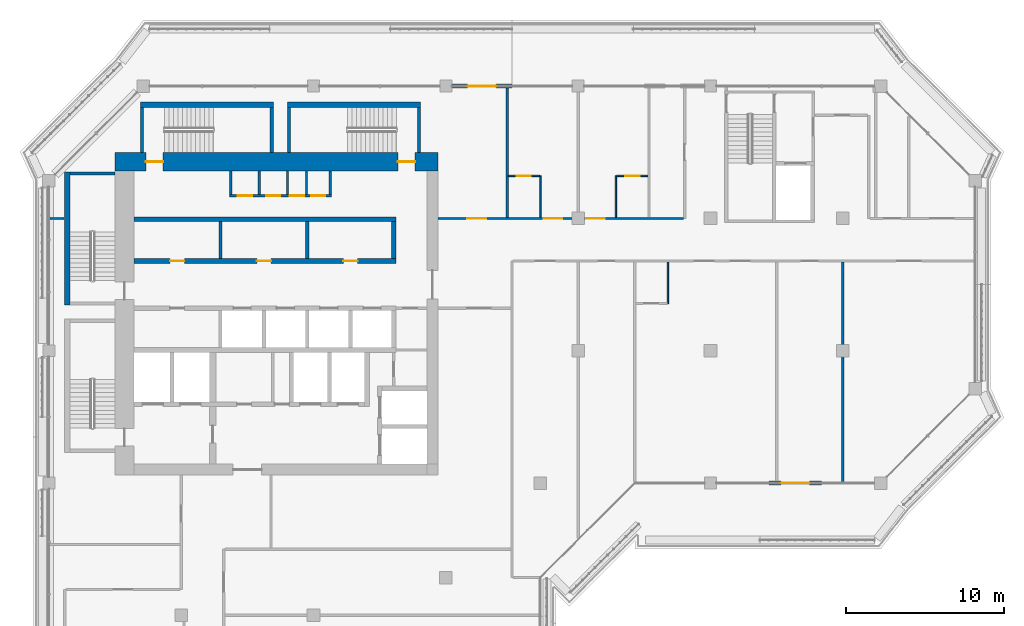
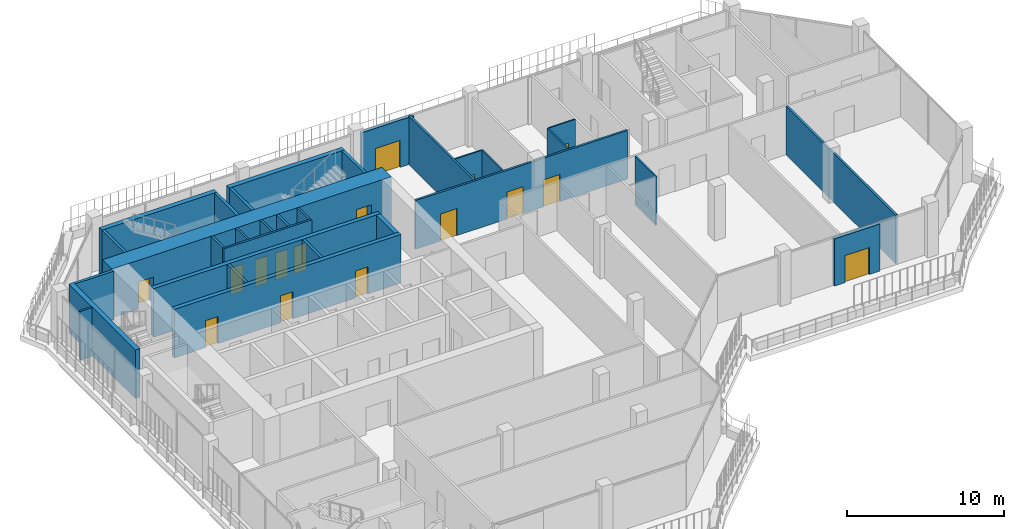
# One storey, part 11 of 20: 31 walls, 16 doors, 16 openings.
"""IFC4 building model written with IfcOpenShell, lengths in metres."""

from ifc_helpers import new_model, si_unit, direction, frame, frame_2d, origin, place, context, subcontext, project, spatial, rectangle, extrude, material, layer, layer_set, type_object, element, fill, save


model = new_model("IFC4")

# Units and contexts
model_context = context("Model", 3, precision=1e-05, world=origin(), true_north=direction((0.0, 1.0)))
body_context = subcontext(model_context, "Body", "Model", "MODEL_VIEW")
ifc_project = project(units=[si_unit("LENGTHUNIT", "METRE"), si_unit("AREAUNIT", "SQUARE_METRE"), si_unit("VOLUMEUNIT", "CUBIC_METRE"), si_unit("PLANEANGLEUNIT", "RADIAN"), si_unit("MASSUNIT", "GRAM", prefix="KILO")], contexts=[model_context])

# Site, building, storey
site_placement = place(None, origin())
site = spatial("IfcSite", under=ifc_project, at=site_placement, CompositionType="ELEMENT")
building_placement = place(site_placement, origin())
building = spatial("IfcBuilding", under=site, at=building_placement, Name="Kawkab Arch Medical Tower", CompositionType="ELEMENT")
storey_placement = place(building_placement, frame((0.0, 0.0, 328.0)))
storey = spatial("IfcBuildingStorey", under=building, at=storey_placement, Name="L76", CompositionType="ELEMENT", Elevation=328.0)

# Wall, openings, doors
ifc_material_1 = material(Name="Concrete C50/60", Category="concrete")
ifc_layer_1 = layer(ifc_material_1, 1.199951171875)
ifc_layer_set_1 = layer_set([ifc_layer_1], Name="Concrete C50/60")
wall_type_1 = type_object("IfcWallType", Name="Core ring wall 1200 C50/60", PredefinedType="SHEAR", material=ifc_layer_set_1)
wall_1_placement = place(storey_placement, frame((4.199951171875, -4.800048828125, 0.0), z_axis=(0.0, 0.0, 1.0), x_axis=(1.0, 0.0, 0.0)))
wall_1 = element("IfcWall", 1, at=wall_1_placement, inside=storey, type_object=wall_type_1, Name="L76 core wall", PredefinedType="SHEAR", context=body_context, shape_type="SweptSolid", body=[
    extrude(rectangle(XDim=20.5, YDim=1.199951171875, at=frame_2d((10.25, 0.0))), origin(), (0.0, 0.0, 1.0), 3.780029296875),
])
opening_1_placement = place(wall_1_placement, frame((1.949951171875, 0.0, 0.0)))
opening_1 = element("IfcOpeningElement", 2, at=opening_1_placement, cuts=wall_1, Name="Opening SD", PredefinedType="OPENING", context=body_context, shape_type="SweptSolid", body=[
    extrude(rectangle(XDim=1.10009765625, YDim=2.10009765625, at=frame_2d((0.550048828125, 1.050048828125))), frame((0.0, 0.60986328125, 0.0), z_axis=(0.0, -1.0, 0.0), x_axis=(1.0, 0.0, 0.0)), (0.0, 0.0, 1.0), 1.219970703125),
])
opening_2_placement = place(wall_1_placement, frame((17.949951171875, 0.0, 0.0)))
opening_2 = element("IfcOpeningElement", 3, at=opening_2_placement, cuts=wall_1, Name="Opening SD", PredefinedType="OPENING", context=body_context, shape_type="SweptSolid", body=[
    extrude(rectangle(XDim=1.10009765625, YDim=2.10009765625, at=frame_2d((0.550048828125, 1.050048828125))), frame((0.0, 0.60986328125, 0.0), z_axis=(0.0, -1.0, 0.0), x_axis=(1.0, 0.0, 0.0)), (0.0, 0.0, 1.0), 1.219970703125),
])
ifc_material_2 = material(Name="Hollow metal fire door leaf")
door_type_1 = type_object("IfcDoorType", Name="Exit stair door 1100", OperationType="SINGLE_SWING_LEFT", PredefinedType="DOOR", material=ifc_material_2)
door_1_placement = place(opening_1_placement, origin())
door_1 = element("IfcDoor", 4, at=door_1_placement, inside=storey, type_object=door_type_1, Name="L76 Exit stair ST3 door", OperationType="SINGLE_SWING_LEFT", OverallHeight=2.10009765625, OverallWidth=1.10009765625, PredefinedType="DOOR", context=body_context, shape_type="SweptSolid", body=[
    extrude(rectangle(XDim=1.10009765625, YDim=2.10009765625, at=frame_2d((0.550048828125, 1.050048828125))), frame((0.0, 0.02490234375, 0.0), z_axis=(0.0, -1.0, 0.0), x_axis=(1.0, 0.0, 0.0)), (0.0, 0.0, 1.0), 0.050048828125),
])
fill(opening_1, door_1)
door_2_placement = place(opening_2_placement, origin())
door_2 = element("IfcDoor", 5, at=door_2_placement, inside=storey, type_object=door_type_1, Name="L76 Exit stair ST4 door", OperationType="SINGLE_SWING_LEFT", OverallHeight=2.10009765625, OverallWidth=1.10009765625, PredefinedType="DOOR", context=body_context, shape_type="SweptSolid", body=[
    extrude(rectangle(XDim=1.10009765625, YDim=2.10009765625, at=frame_2d((0.550048828125, 1.050048828125))), frame((0.0, 0.02490234375, 0.0), z_axis=(0.0, -1.0, 0.0), x_axis=(1.0, 0.0, 0.0)), (0.0, 0.0, 1.0), 0.050048828125),
])
fill(opening_2, door_2)

ifc_material_3 = material(Name="Gypsum board on steel studs", Category="steel")
ifc_layer_2 = layer(ifc_material_3, 0.14990234375)
ifc_layer_set_2 = layer_set([ifc_layer_2], Name="Gypsum board on steel studs")
wall_type_2 = type_object("IfcWallType", Name="Core room partition 150", PredefinedType="PARTITIONING", material=ifc_layer_set_2)
wall_2_placement = place(storey_placement, frame((11.47509765625, -6.949951171875, 0.0), z_axis=(0.0, 0.0, 1.0), x_axis=(1.0, 0.0, 0.0)))
wall_2 = element("IfcWall", 6, at=wall_2_placement, inside=storey, type_object=wall_type_2, Name="L76 core room partition", PredefinedType="PARTITIONING", context=body_context, shape_type="SweptSolid", body=[
    extrude(rectangle(XDim=6.449951171875, YDim=0.14990234375, at=frame_2d((3.22509765625, 0.0))), origin(), (0.0, 0.0, 1.0), 3.780029296875),
])
opening_3_placement = place(wall_2_placement, frame((0.52490234375, 0.0, 0.0)))
opening_3 = element("IfcOpeningElement", 7, at=opening_3_placement, cuts=wall_2, Name="Opening RD", PredefinedType="OPENING", context=body_context, shape_type="SweptSolid", body=[
    extrude(rectangle(XDim=0.89990234375, YDim=2.10009765625, at=frame_2d((0.449951171875, 1.050048828125))), frame((0.0, 0.0849609375, 0.0), z_axis=(0.0, -1.0, 0.0), x_axis=(1.0, 0.0, 0.0)), (0.0, 0.0, 1.0), 0.169921875),
])
opening_4_placement = place(wall_2_placement, frame((2.324951171875, 0.0, 0.0)))
opening_4 = element("IfcOpeningElement", 8, at=opening_4_placement, cuts=wall_2, Name="Opening RD", PredefinedType="OPENING", context=body_context, shape_type="SweptSolid", body=[
    extrude(rectangle(XDim=0.89990234375, YDim=2.10009765625, at=frame_2d((0.449951171875, 1.050048828125))), frame((0.0, 0.0849609375, 0.0), z_axis=(0.0, -1.0, 0.0), x_axis=(1.0, 0.0, 0.0)), (0.0, 0.0, 1.0), 0.169921875),
])
opening_5_placement = place(wall_2_placement, frame((3.824951171875, 0.0, 0.0)))
opening_5 = element("IfcOpeningElement", 9, at=opening_5_placement, cuts=wall_2, Name="Opening RD", PredefinedType="OPENING", context=body_context, shape_type="SweptSolid", body=[
    extrude(rectangle(XDim=0.89990234375, YDim=2.10009765625, at=frame_2d((0.449951171875, 1.050048828125))), frame((0.0, 0.0849609375, 0.0), z_axis=(0.0, -1.0, 0.0), x_axis=(1.0, 0.0, 0.0)), (0.0, 0.0, 1.0), 0.169921875),
])
opening_6_placement = place(wall_2_placement, frame((5.175048828125, 0.0, 0.0)))
opening_6 = element("IfcOpeningElement", 10, at=opening_6_placement, cuts=wall_2, Name="Opening RD", PredefinedType="OPENING", context=body_context, shape_type="SweptSolid", body=[
    extrude(rectangle(XDim=0.89990234375, YDim=2.10009765625, at=frame_2d((0.449951171875, 1.050048828125))), frame((0.0, 0.0849609375, 0.0), z_axis=(0.0, -1.0, 0.0), x_axis=(1.0, 0.0, 0.0)), (0.0, 0.0, 1.0), 0.169921875),
])
ifc_material_4 = material(Name="Hollow metal fire door leaf")
door_type_2 = type_object("IfcDoorType", Name="Core room door 900", OperationType="SINGLE_SWING_LEFT", PredefinedType="DOOR", material=ifc_material_4)
door_3_placement = place(opening_3_placement, origin())
door_3 = element("IfcDoor", 11, at=door_3_placement, inside=storey, type_object=door_type_2, Name="L76 Linen store door", OperationType="SINGLE_SWING_LEFT", OverallHeight=2.10009765625, OverallWidth=0.89990234375, PredefinedType="DOOR", context=body_context, shape_type="SweptSolid", body=[
    extrude(rectangle(XDim=0.89990234375, YDim=2.10009765625, at=frame_2d((0.449951171875, 1.050048828125))), frame((0.0, 0.02490234375, 0.0), z_axis=(0.0, -1.0, 0.0), x_axis=(1.0, 0.0, 0.0)), (0.0, 0.0, 1.0), 0.050048828125),
])
fill(opening_3, door_3)
door_4_placement = place(opening_4_placement, origin())
door_4 = element("IfcDoor", 12, at=door_4_placement, inside=storey, type_object=door_type_2, Name="L76 Comms room door", OperationType="SINGLE_SWING_LEFT", OverallHeight=2.10009765625, OverallWidth=0.89990234375, PredefinedType="DOOR", context=body_context, shape_type="SweptSolid", body=[
    extrude(rectangle(XDim=0.89990234375, YDim=2.10009765625, at=frame_2d((0.449951171875, 1.050048828125))), frame((0.0, 0.02490234375, 0.0), z_axis=(0.0, -1.0, 0.0), x_axis=(1.0, 0.0, 0.0)), (0.0, 0.0, 1.0), 0.050048828125),
])
fill(opening_4, door_4)
door_5_placement = place(opening_5_placement, origin())
door_5 = element("IfcDoor", 13, at=door_5_placement, inside=storey, type_object=door_type_2, Name="L76 Electrical riser room door", OperationType="SINGLE_SWING_LEFT", OverallHeight=2.10009765625, OverallWidth=0.89990234375, PredefinedType="DOOR", context=body_context, shape_type="SweptSolid", body=[
    extrude(rectangle(XDim=0.89990234375, YDim=2.10009765625, at=frame_2d((0.449951171875, 1.050048828125))), frame((0.0, 0.02490234375, 0.0), z_axis=(0.0, -1.0, 0.0), x_axis=(1.0, 0.0, 0.0)), (0.0, 0.0, 1.0), 0.050048828125),
])
fill(opening_5, door_5)
door_6_placement = place(opening_6_placement, origin())
door_6 = element("IfcDoor", 14, at=door_6_placement, inside=storey, type_object=door_type_2, Name="L76 Ward pantry door", OperationType="SINGLE_SWING_LEFT", OverallHeight=2.10009765625, OverallWidth=0.89990234375, PredefinedType="DOOR", context=body_context, shape_type="SweptSolid", body=[
    extrude(rectangle(XDim=0.89990234375, YDim=2.10009765625, at=frame_2d((0.449951171875, 1.050048828125))), frame((0.0, 0.02490234375, 0.0), z_axis=(0.0, -1.0, 0.0), x_axis=(1.0, 0.0, 0.0)), (0.0, 0.0, 1.0), 0.050048828125),
])
fill(opening_6, door_6)

# Walls
for number, where, z_axis, x_axis, name in (
    (15, (11.550048828125, -6.875, 0.0), (0.0, 0.0, 1.0), (0.0, 1.0, 0.0), "L76 core room partition"),
    (16, (13.35009765625, -6.875, 0.0), (0.0, 0.0, 1.0), (0.0, 1.0, 0.0), "L76 core room partition"),
    (17, (15.14990234375, -6.875, 0.0), (0.0, 0.0, 1.0), (0.0, 1.0, 0.0), "L76 core room partition"),
    (18, (16.35009765625, -6.875, 0.0), (0.0, 0.0, 1.0), (0.0, 1.0, 0.0), "L76 core room partition"),
    (19, (17.85009765625, -6.875, 0.0), (0.0, 0.0, 1.0), (0.0, 1.0, 0.0), "L76 core room partition"),
):
    element("IfcWall", number, at=place(storey_placement, frame(where, z_axis=z_axis, x_axis=x_axis)), inside=storey, type_object=wall_type_2, Name=name, PredefinedType="PARTITIONING", context=body_context, shape_type="SweptSolid", body=[
        extrude(rectangle(XDim=1.47509765625, YDim=0.14990234375, at=frame_2d((0.737548828125, 0.0))), origin(), (0.0, 0.0, 1.0), 3.780029296875),
    ])
ifc_material_5 = material(Name="Concrete C60/75", Category="concrete")
ifc_layer_3 = layer(ifc_material_5, 0.300048828125)
ifc_layer_set_3 = layer_set([ifc_layer_3], Name="Concrete C60/75")
wall_type_3 = type_object("IfcWallType", Name="Core shear wall 300 C60/75", PredefinedType="SHEAR", material=ifc_layer_set_3)
wall_3_placement = place(storey_placement, frame((5.39990234375, -8.449951171875, 0.0), z_axis=(0.0, 0.0, 1.0), x_axis=(1.0, 0.0, 0.0)))
element("IfcWall", 20, at=wall_3_placement, inside=storey, type_object=wall_type_3, Name="L76 core shear wall", PredefinedType="SHEAR", context=body_context, shape_type="SweptSolid", body=[
    extrude(rectangle(XDim=16.650146484375, YDim=0.300048828125, at=frame_2d((8.3251953125, 0.0))), origin(), (0.0, 0.0, 1.0), 3.780029296875),
])

# Wall, openings, doors
wall_4_placement = place(storey_placement, frame((5.39990234375, -11.10009765625, 0.0), z_axis=(0.0, 0.0, 1.0), x_axis=(1.0, 0.0, 0.0)))
wall_4 = element("IfcWall", 21, at=wall_4_placement, inside=storey, type_object=wall_type_3, Name="L76 core shear wall", PredefinedType="SHEAR", context=body_context, shape_type="SweptSolid", body=[
    extrude(rectangle(XDim=16.650146484375, YDim=0.300048828125, at=frame_2d((8.3251953125, 0.0))), origin(), (0.0, 0.0, 1.0), 3.780029296875),
])
opening_7_placement = place(wall_4_placement, frame((2.300048828125, 0.0, 0.0)))
opening_7 = element("IfcOpeningElement", 22, at=opening_7_placement, cuts=wall_4, Name="Opening RD", PredefinedType="OPENING", context=body_context, shape_type="SweptSolid", body=[
    extrude(rectangle(XDim=0.89990234375, YDim=2.10009765625, at=frame_2d((0.449951171875, 1.050048828125))), frame((0.0, 0.159912109375, 0.0), z_axis=(0.0, -1.0, 0.0), x_axis=(1.0, 0.0, 0.0)), (0.0, 0.0, 1.0), 0.320068359375),
])
opening_8_placement = place(wall_4_placement, frame((7.800048828125, 0.0, 0.0)))
opening_8 = element("IfcOpeningElement", 23, at=opening_8_placement, cuts=wall_4, Name="Opening RD", PredefinedType="OPENING", context=body_context, shape_type="SweptSolid", body=[
    extrude(rectangle(XDim=0.89990234375, YDim=2.10009765625, at=frame_2d((0.449951171875, 1.050048828125))), frame((0.0, 0.159912109375, 0.0), z_axis=(0.0, -1.0, 0.0), x_axis=(1.0, 0.0, 0.0)), (0.0, 0.0, 1.0), 0.320068359375),
])
opening_9_placement = place(wall_4_placement, frame((13.300048828125, 0.0, 0.0)))
opening_9 = element("IfcOpeningElement", 24, at=opening_9_placement, cuts=wall_4, Name="Opening RD", PredefinedType="OPENING", context=body_context, shape_type="SweptSolid", body=[
    extrude(rectangle(XDim=0.89990234375, YDim=2.10009765625, at=frame_2d((0.449951171875, 1.050048828125))), frame((0.0, 0.159912109375, 0.0), z_axis=(0.0, -1.0, 0.0), x_axis=(1.0, 0.0, 0.0)), (0.0, 0.0, 1.0), 0.320068359375),
])
door_7_placement = place(opening_7_placement, origin())
door_7 = element("IfcDoor", 25, at=door_7_placement, inside=storey, type_object=door_type_2, Name="L76 Ward pantry door", OperationType="SINGLE_SWING_LEFT", OverallHeight=2.10009765625, OverallWidth=0.89990234375, PredefinedType="DOOR", context=body_context, shape_type="SweptSolid", body=[
    extrude(rectangle(XDim=0.89990234375, YDim=2.10009765625, at=frame_2d((0.449951171875, 1.050048828125))), frame((0.0, 0.02490234375, 0.0), z_axis=(0.0, -1.0, 0.0), x_axis=(1.0, 0.0, 0.0)), (0.0, 0.0, 1.0), 0.050048828125),
])
fill(opening_7, door_7)
door_8_placement = place(opening_8_placement, origin())
door_8 = element("IfcDoor", 26, at=door_8_placement, inside=storey, type_object=door_type_2, Name="L76 Data room door", OperationType="SINGLE_SWING_LEFT", OverallHeight=2.10009765625, OverallWidth=0.89990234375, PredefinedType="DOOR", context=body_context, shape_type="SweptSolid", body=[
    extrude(rectangle(XDim=0.89990234375, YDim=2.10009765625, at=frame_2d((0.449951171875, 1.050048828125))), frame((0.0, 0.02490234375, 0.0), z_axis=(0.0, -1.0, 0.0), x_axis=(1.0, 0.0, 0.0)), (0.0, 0.0, 1.0), 0.050048828125),
])
fill(opening_8, door_8)
door_9_placement = place(opening_9_placement, origin())
door_9 = element("IfcDoor", 27, at=door_9_placement, inside=storey, type_object=door_type_2, Name="L76 Linen store door", OperationType="SINGLE_SWING_LEFT", OverallHeight=2.10009765625, OverallWidth=0.89990234375, PredefinedType="DOOR", context=body_context, shape_type="SweptSolid", body=[
    extrude(rectangle(XDim=0.89990234375, YDim=2.10009765625, at=frame_2d((0.449951171875, 1.050048828125))), frame((0.0, 0.02490234375, 0.0), z_axis=(0.0, -1.0, 0.0), x_axis=(1.0, 0.0, 0.0)), (0.0, 0.0, 1.0), 0.050048828125),
])
fill(opening_9, door_9)

# Wall
wall_5_placement = place(storey_placement, frame((21.89990234375, -10.949951171875, 0.0), z_axis=(0.0, 0.0, 1.0), x_axis=(0.0, 1.0, 0.0)))
element("IfcWall", 28, at=wall_5_placement, inside=storey, type_object=wall_type_3, Name="L76 core shear wall", PredefinedType="SHEAR", context=body_context, shape_type="SweptSolid", body=[
    extrude(rectangle(XDim=2.349853515625, YDim=0.300048828125, at=frame_2d((1.1748046875, 0.0))), origin(), (0.0, 0.0, 1.0), 3.780029296875),
])

# Wall, opening, door
ifc_material_6 = material(Name="Bronze clad insulated wall panel")
ifc_layer_4 = layer(ifc_material_6, 0.25)
ifc_layer_set_4 = layer_set([ifc_layer_4], Name="Bronze clad insulated wall panel")
wall_type_4 = type_object("IfcWallType", Name="External wall bay 250", PredefinedType="SOLIDWALL", material=ifc_layer_set_4)
wall_6_placement = place(storey_placement, frame((45.716552734375, -25.199951171875, 0.0), z_axis=(0.0, 0.0, 1.0), x_axis=(1.0, 0.0, 0.0)))
wall_6 = element("IfcWall", 29, at=wall_6_placement, inside=storey, type_object=wall_type_4, Name="External wall bay L76.R11.2.2", PredefinedType="SOLIDWALL", context=body_context, shape_type="SweptSolid", body=[
    extrude(rectangle(XDim=3.341796875, YDim=0.25, at=frame_2d((1.6708984375, 0.0))), origin(), (0.0, 0.0, 1.0), 3.659912109375),
])
opening_10_placement = place(wall_6_placement, frame((0.770751953125, 0.0, 0.0)))
opening_10 = element("IfcOpeningElement", 30, at=opening_10_placement, cuts=wall_6, Name="Opening W71-701", PredefinedType="OPENING", context=body_context, shape_type="SweptSolid", body=[
    extrude(rectangle(XDim=1.800048828125, YDim=2.10009765625, at=frame_2d((0.89990234375, 1.050048828125))), frame((0.0, 0.135009765625, 0.0), z_axis=(0.0, -1.0, 0.0), x_axis=(1.0, 0.0, 0.0)), (0.0, 0.0, 1.0), 0.27001953125),
])
ifc_material_7 = material(Name="Bronze anodised aluminium door with tinted glass", Category="aluminium")
door_type_3 = type_object("IfcDoorType", Name="Double external door 1800 x 2100", OperationType="DOUBLE_DOOR_SINGLE_SWING", PredefinedType="DOOR", material=ifc_material_7)
door_10_placement = place(opening_10_placement, origin())
door_10 = element("IfcDoor", 31, at=door_10_placement, inside=storey, type_object=door_type_3, Name="External door L76.R11.2.2", OperationType="DOUBLE_DOOR_SINGLE_SWING", OverallHeight=2.10009765625, OverallWidth=1.800048828125, PredefinedType="DOOR", context=body_context, shape_type="SweptSolid", body=[
    extrude(rectangle(XDim=1.800048828125, YDim=2.10009765625, at=frame_2d((0.89990234375, 1.050048828125))), frame((0.0, 0.02490234375, 0.0), z_axis=(0.0, -1.0, 0.0), x_axis=(1.0, 0.0, 0.0)), (0.0, 0.0, 1.0), 0.050048828125),
])
fill(opening_10, door_10)

wall_7_placement = place(storey_placement, frame((29.39990234375, 0.0, 0.0), z_axis=(0.0, 0.0, 1.0), x_axis=(-1.0, 0.0, 0.0)))
wall_7 = element("IfcWall", 32, at=wall_7_placement, inside=storey, type_object=wall_type_4, Name="External wall bay L76.R15.3.2", PredefinedType="SOLIDWALL", context=body_context, shape_type="SweptSolid", body=[
    extrude(rectangle(XDim=3.824951171875, YDim=0.25, at=frame_2d((1.91259765625, 0.0))), origin(), (0.0, 0.0, 1.0), 3.659912109375),
])
opening_11_placement = place(wall_7_placement, frame((1.012451171875, 0.0, 0.0)))
opening_11 = element("IfcOpeningElement", 33, at=opening_11_placement, cuts=wall_7, Name="Opening W71-701", PredefinedType="OPENING", context=body_context, shape_type="SweptSolid", body=[
    extrude(rectangle(XDim=1.800048828125, YDim=2.10009765625, at=frame_2d((0.89990234375, 1.050048828125))), frame((0.0, 0.135009765625, 0.0), z_axis=(0.0, -1.0, 0.0), x_axis=(1.0, 0.0, 0.0)), (0.0, 0.0, 1.0), 0.27001953125),
])
door_11_placement = place(opening_11_placement, origin())
door_11 = element("IfcDoor", 34, at=door_11_placement, inside=storey, type_object=door_type_3, Name="External door L76.R15.3.2", OperationType="DOUBLE_DOOR_SINGLE_SWING", OverallHeight=2.10009765625, OverallWidth=1.800048828125, PredefinedType="DOOR", context=body_context, shape_type="SweptSolid", body=[
    extrude(rectangle(XDim=1.800048828125, YDim=2.10009765625, at=frame_2d((0.89990234375, 1.050048828125))), frame((0.0, 0.02490234375, 0.0), z_axis=(0.0, -1.0, 0.0), x_axis=(1.0, 0.0, 0.0)), (0.0, 0.0, 1.0), 0.050048828125),
])
fill(opening_11, door_11)

# Walls
ifc_material_8 = material(Name="Dense concrete blockwork", Category="masonry")
ifc_layer_5 = layer(ifc_material_8, 0.199951171875)
ifc_layer_set_5 = layer_set([ifc_layer_5], Name="Dense concrete blockwork")
wall_type_5 = type_object("IfcWallType", Name="Lift shaft partition 200", PredefinedType="PARTITIONING", material=ifc_layer_set_5)
for number, where, z_axis, x_axis, name in (
    (35, (10.89990234375, -10.949951171875, 0.0), (0.0, 0.0, 1.0), (0.0, 1.0, 0.0), "L76 lift shaft partition"),
    (36, (16.39990234375, -10.949951171875, 0.0), (0.0, 0.0, 1.0), (0.0, 1.0, 0.0), "L76 lift shaft partition"),
):
    element("IfcWall", number, at=place(storey_placement, frame(where, z_axis=z_axis, x_axis=x_axis)), inside=storey, type_object=wall_type_5, Name=name, PredefinedType="PARTITIONING", context=body_context, shape_type="SweptSolid", body=[
        extrude(rectangle(XDim=2.349853515625, YDim=0.199951171875, at=frame_2d((1.1748046875, 0.0))), origin(), (0.0, 0.0, 1.0), 3.780029296875),
    ])

# Wall, opening, door
ifc_material_9 = material(Name="Gypsum board partition on steel studs", Category="steel")
ifc_layer_6 = layer(ifc_material_9, 0.10009765625)
ifc_layer_set_6 = layer_set([ifc_layer_6], Name="Gypsum board partition on steel studs")
wall_type_6 = type_object("IfcWallType", Name="Partition 100", PredefinedType="PARTITIONING", material=ifc_layer_set_6)
wall_8_placement = place(storey_placement, frame((29.175048828125, -5.699951171875, 0.0), z_axis=(0.0, 0.0, 1.0), x_axis=(1.0, 0.0, 0.0)))
wall_8 = element("IfcWall", 37, at=wall_8_placement, inside=storey, type_object=wall_type_6, Name="Partition 100 w002", PredefinedType="PARTITIONING", context=body_context, shape_type="SweptSolid", body=[
    extrude(rectangle(XDim=1.974853515625, YDim=0.10009765625, at=frame_2d((0.9873046875, 0.0))), origin(), (0.0, 0.0, 1.0), 3.780029296875),
])
opening_12_placement = place(wall_8_placement, frame((0.52490234375, 0.0, 0.0)))
opening_12 = element("IfcOpeningElement", 38, at=opening_12_placement, cuts=wall_8, Name="Opening W71-004", PredefinedType="OPENING", context=body_context, shape_type="SweptSolid", body=[
    extrude(rectangle(XDim=0.89990234375, YDim=2.10009765625, at=frame_2d((0.449951171875, 1.050048828125))), frame((0.0, 0.06005859375, 0.0), z_axis=(0.0, -1.0, 0.0), x_axis=(1.0, 0.0, 0.0)), (0.0, 0.0, 1.0), 0.1201171875),
])
ifc_material_10 = material(Name="Timber door leaf", Category="wood")
door_type_4 = type_object("IfcDoorType", Name="Single door 900x2100", OperationType="NOTDEFINED", PredefinedType="DOOR", material=ifc_material_10)
door_12_placement = place(opening_12_placement, origin())
door_12 = element("IfcDoor", 39, at=door_12_placement, inside=storey, type_object=door_type_4, Name="Door W71-004", OperationType="SINGLE_SWING_LEFT", OverallHeight=2.10009765625, OverallWidth=0.89990234375, PredefinedType="DOOR", context=body_context, shape_type="SweptSolid", body=[
    extrude(rectangle(XDim=0.89990234375, YDim=2.10009765625, at=frame_2d((0.449951171875, 1.050048828125))), frame((0.0, 0.02490234375, 0.0), z_axis=(0.0, -1.0, 0.0), x_axis=(1.0, 0.0, 0.0)), (0.0, 0.0, 1.0), 0.050048828125),
])
fill(opening_12, door_12)

wall_9_placement = place(storey_placement, frame((36.050048828125, -5.699951171875, 0.0), z_axis=(0.0, 0.0, 1.0), x_axis=(1.0, 0.0, 0.0)))
wall_9 = element("IfcWall", 40, at=wall_9_placement, inside=storey, type_object=wall_type_6, Name="Partition 100 w003", PredefinedType="PARTITIONING", context=body_context, shape_type="SweptSolid", body=[
    extrude(rectangle(XDim=1.974853515625, YDim=0.10009765625, at=frame_2d((0.9873046875, 0.0))), origin(), (0.0, 0.0, 1.0), 3.780029296875),
])
opening_13_placement = place(wall_9_placement, frame((0.550048828125, 0.0, 0.0)))
opening_13 = element("IfcOpeningElement", 41, at=opening_13_placement, cuts=wall_9, Name="Opening W71-005", PredefinedType="OPENING", context=body_context, shape_type="SweptSolid", body=[
    extrude(rectangle(XDim=0.89990234375, YDim=2.10009765625, at=frame_2d((0.449951171875, 1.050048828125))), frame((0.0, 0.06005859375, 0.0), z_axis=(0.0, -1.0, 0.0), x_axis=(1.0, 0.0, 0.0)), (0.0, 0.0, 1.0), 0.1201171875),
])
door_13_placement = place(opening_13_placement, origin())
door_13 = element("IfcDoor", 42, at=door_13_placement, inside=storey, type_object=door_type_4, Name="Door W71-005", OperationType="SINGLE_SWING_LEFT", OverallHeight=2.10009765625, OverallWidth=0.89990234375, PredefinedType="DOOR", context=body_context, shape_type="SweptSolid", body=[
    extrude(rectangle(XDim=0.89990234375, YDim=2.10009765625, at=frame_2d((0.449951171875, 1.050048828125))), frame((0.0, 0.02490234375, 0.0), z_axis=(0.0, -1.0, 0.0), x_axis=(1.0, 0.0, 0.0)), (0.0, 0.0, 1.0), 0.050048828125),
])
fill(opening_13, door_13)

# Walls
for number, where, z_axis, x_axis, name in (
    (43, (31.199951171875, -8.324951171875, 0.0), (0.0, 0.0, 1.0), (0.0, 1.0, 0.0), "Partition 100 w004"),
    (44, (36.0, -8.324951171875, 0.0), (0.0, 0.0, 1.0), (0.0, 1.0, 0.0), "Partition 100 w005"),
    (45, (39.300048828125, -13.800048828125, 0.0), (0.0, 0.0, 1.0), (0.0, 1.0, 0.0), "Partition 100 w006"),
):
    element("IfcWall", number, at=place(storey_placement, frame(where, z_axis=z_axis, x_axis=x_axis)), inside=storey, type_object=wall_type_6, Name=name, PredefinedType="PARTITIONING", context=body_context, shape_type="SweptSolid", body=[
        extrude(rectangle(XDim=2.625, YDim=0.10009765625, at=frame_2d((1.3125, 0.0))), origin(), (0.0, 0.0, 1.0), 3.780029296875),
    ])
ifc_material_11 = material(Name="Gypsum board partition on steel studs, mineral wool", Category="steel")
ifc_layer_7 = layer(ifc_material_11, 0.14990234375)
ifc_layer_set_7 = layer_set([ifc_layer_7], Name="Gypsum board partition on steel studs, mineral wool")
wall_type_7 = type_object("IfcWallType", Name="Partition 150", PredefinedType="PARTITIONING", material=ifc_layer_set_7)
wall_10_placement = place(storey_placement, frame((0.080078125, -8.39990234375, 0.0), z_axis=(0.0, 0.0, 1.0), x_axis=(1.0, 0.0, 0.0)))
element("IfcWall", 46, at=wall_10_placement, inside=storey, type_object=wall_type_7, Name="Partition 150 w015", PredefinedType="PARTITIONING", context=body_context, shape_type="SweptSolid", body=[
    extrude(rectangle(XDim=0.889892578125, YDim=0.14990234375, at=frame_2d((0.44482421875, 0.0))), origin(), (0.0, 0.0, 1.0), 3.780029296875),
])

# Wall, openings, doors
wall_11_placement = place(storey_placement, frame((24.699951171875, -8.39990234375, 0.0), z_axis=(0.0, 0.0, 1.0), x_axis=(1.0, 0.0, 0.0)))
wall_11 = element("IfcWall", 47, at=wall_11_placement, inside=storey, type_object=wall_type_7, Name="Partition 150 w016", PredefinedType="PARTITIONING", context=body_context, shape_type="SweptSolid", body=[
    extrude(rectangle(XDim=15.58203125, YDim=0.14990234375, at=frame_2d((7.791015625, 0.0))), origin(), (0.0, 0.0, 1.0), 3.780029296875),
])
opening_14_placement = place(wall_11_placement, frame((1.85009765625, 0.0, 0.0)))
opening_14 = element("IfcOpeningElement", 48, at=opening_14_placement, cuts=wall_11, Name="Opening W71-015", PredefinedType="OPENING", context=body_context, shape_type="SweptSolid", body=[
    extrude(rectangle(XDim=1.199951171875, YDim=2.10009765625, at=frame_2d((0.60009765625, 1.050048828125))), frame((0.0, 0.0849609375, 0.0), z_axis=(0.0, -1.0, 0.0), x_axis=(1.0, 0.0, 0.0)), (0.0, 0.0, 1.0), 0.169921875),
])
opening_15_placement = place(wall_11_placement, frame((6.699951171875, 0.0, 0.0)))
opening_15 = element("IfcOpeningElement", 49, at=opening_15_placement, cuts=wall_11, Name="Opening W71-016", PredefinedType="OPENING", context=body_context, shape_type="SweptSolid", body=[
    extrude(rectangle(XDim=1.199951171875, YDim=2.10009765625, at=frame_2d((0.60009765625, 1.050048828125))), frame((0.0, 0.0849609375, 0.0), z_axis=(0.0, -1.0, 0.0), x_axis=(1.0, 0.0, 0.0)), (0.0, 0.0, 1.0), 0.169921875),
])
opening_16_placement = place(wall_11_placement, frame((9.39990234375, 0.0, 0.0)))
opening_16 = element("IfcOpeningElement", 50, at=opening_16_placement, cuts=wall_11, Name="Opening W71-017", PredefinedType="OPENING", context=body_context, shape_type="SweptSolid", body=[
    extrude(rectangle(XDim=1.199951171875, YDim=2.10009765625, at=frame_2d((0.60009765625, 1.050048828125))), frame((0.0, 0.0849609375, 0.0), z_axis=(0.0, -1.0, 0.0), x_axis=(1.0, 0.0, 0.0)), (0.0, 0.0, 1.0), 0.169921875),
])
ifc_material_12 = material(Name="Hollow metal door leaf")
door_type_5 = type_object("IfcDoorType", Name="Single door 1200x2100 FD30S", OperationType="NOTDEFINED", PredefinedType="DOOR", material=ifc_material_12)
door_14_placement = place(opening_14_placement, origin())
door_14 = element("IfcDoor", 51, at=door_14_placement, inside=storey, type_object=door_type_5, Name="Door W71-015", OperationType="SINGLE_SWING_LEFT", OverallHeight=2.10009765625, OverallWidth=1.199951171875, PredefinedType="DOOR", context=body_context, shape_type="SweptSolid", body=[
    extrude(rectangle(XDim=1.199951171875, YDim=2.10009765625, at=frame_2d((0.60009765625, 1.050048828125))), frame((0.0, 0.02490234375, 0.0), z_axis=(0.0, -1.0, 0.0), x_axis=(1.0, 0.0, 0.0)), (0.0, 0.0, 1.0), 0.050048828125),
])
fill(opening_14, door_14)
door_15_placement = place(opening_15_placement, origin())
door_15 = element("IfcDoor", 52, at=door_15_placement, inside=storey, type_object=door_type_5, Name="Door W71-016", OperationType="SINGLE_SWING_LEFT", OverallHeight=2.10009765625, OverallWidth=1.199951171875, PredefinedType="DOOR", context=body_context, shape_type="SweptSolid", body=[
    extrude(rectangle(XDim=1.199951171875, YDim=2.10009765625, at=frame_2d((0.60009765625, 1.050048828125))), frame((0.0, 0.02490234375, 0.0), z_axis=(0.0, -1.0, 0.0), x_axis=(1.0, 0.0, 0.0)), (0.0, 0.0, 1.0), 0.050048828125),
])
fill(opening_15, door_15)
door_16_placement = place(opening_16_placement, origin())
door_16 = element("IfcDoor", 53, at=door_16_placement, inside=storey, type_object=door_type_5, Name="Door W71-017", OperationType="SINGLE_SWING_RIGHT", OverallHeight=2.10009765625, OverallWidth=1.199951171875, PredefinedType="DOOR", context=body_context, shape_type="SweptSolid", body=[
    extrude(rectangle(XDim=1.199951171875, YDim=2.10009765625, at=frame_2d((0.60009765625, 1.050048828125))), frame((0.0, 0.02490234375, 0.0), z_axis=(0.0, -1.0, 0.0), x_axis=(1.0, 0.0, 0.0)), (0.0, 0.0, 1.0), 0.050048828125),
])
fill(opening_16, door_16)

# Walls
wall_12_placement = place(storey_placement, frame((29.10009765625, -8.324951171875, 0.0), z_axis=(0.0, 0.0, 1.0), x_axis=(0.0, 1.0, 0.0)))
element("IfcWall", 54, at=wall_12_placement, inside=storey, type_object=wall_type_7, Name="Partition 150 w023", PredefinedType="PARTITIONING", context=body_context, shape_type="SweptSolid", body=[
    extrude(rectangle(XDim=8.244873046875, YDim=0.14990234375, at=frame_2d((4.12255859375, 0.0))), origin(), (0.0, 0.0, 1.0), 3.780029296875),
])
wall_13_placement = place(storey_placement, frame((50.39990234375, -25.1201171875, 0.0), z_axis=(0.0, 0.0, 1.0), x_axis=(0.0, 1.0, 0.0)))
element("IfcWall", 55, at=wall_13_placement, inside=storey, type_object=wall_type_7, Name="Partition 150 w032", PredefinedType="PARTITIONING", context=body_context, shape_type="SweptSolid", body=[
    extrude(rectangle(XDim=13.945068359375, YDim=0.14990234375, at=frame_2d((6.97265625, 0.0))), origin(), (0.0, 0.0, 1.0), 3.780029296875),
])
ifc_material_13 = material(Name="Concrete C50/60", Category="concrete")
ifc_layer_8 = layer(ifc_material_13, 0.199951171875)
ifc_layer_set_8 = layer_set([ifc_layer_8], Name="Concrete C50/60")
wall_type_8 = type_object("IfcWallType", Name="Stair enclosure wall 200 C50/60", PredefinedType="SHEAR", material=ifc_layer_set_8)
for number, where, z_axis, x_axis, name in (
    (56, (1.35009765625, -5.550048828125, 0.0), (0.0, 0.0, 1.0), (1.0, 0.0, 0.0), "L76 stair enclosure wall"),
    (57, (5.89990234375, -4.199951171875, 0.0), (0.0, 0.0, 1.0), (0.0, 1.0, 0.0), "L76 stair enclosure wall"),
    (58, (14.14990234375, -4.199951171875, 0.0), (0.0, 0.0, 1.0), (0.0, 1.0, 0.0), "L76 stair enclosure wall"),
    (59, (15.25, -4.199951171875, 0.0), (0.0, 0.0, 1.0), (0.0, 1.0, 0.0), "L76 stair enclosure wall"),
    (60, (23.5, -4.199951171875, 0.0), (0.0, 0.0, 1.0), (0.0, 1.0, 0.0), "L76 stair enclosure wall"),
):
    element("IfcWall", number, at=place(storey_placement, frame(where, z_axis=z_axis, x_axis=x_axis)), inside=storey, type_object=wall_type_8, Name=name, PredefinedType="SHEAR", context=body_context, shape_type="SweptSolid", body=[
        extrude(rectangle(XDim=2.849853515625, YDim=0.199951171875, at=frame_2d((1.4248046875, 0.0))), origin(), (0.0, 0.0, 1.0), 3.780029296875),
    ])
ifc_material_14 = material(Name="Concrete C50/60", Category="concrete")
ifc_layer_9 = layer(ifc_material_14, 0.35009765625)
ifc_layer_set_9 = layer_set([ifc_layer_9], Name="Concrete C50/60")
wall_type_9 = type_object("IfcWallType", Name="Stair enclosure wall 350 C50/60", PredefinedType="SHEAR", material=ifc_layer_set_9)
for number, where, z_axis, x_axis, name in (
    (61, (1.175048828125, -13.89990234375, 0.0), (0.0, 0.0, 1.0), (0.0, 1.0, 0.0), "L76 stair enclosure wall"),
    (62, (5.800048828125, -1.175048828125, 0.0), (0.0, 0.0, 1.0), (1.0, 0.0, 0.0), "L76 stair enclosure wall"),
):
    element("IfcWall", number, at=place(storey_placement, frame(where, z_axis=z_axis, x_axis=x_axis)), inside=storey, type_object=wall_type_9, Name=name, PredefinedType="SHEAR", context=body_context, shape_type="SweptSolid", body=[
        extrude(rectangle(XDim=8.449951171875, YDim=0.35009765625, at=frame_2d((4.22509765625, 0.0))), origin(), (0.0, 0.0, 1.0), 3.780029296875),
    ])
wall_14_placement = place(storey_placement, frame((15.14990234375, -1.175048828125, 0.0), z_axis=(0.0, 0.0, 1.0), x_axis=(1.0, 0.0, 0.0)))
element("IfcWall", 63, at=wall_14_placement, inside=storey, type_object=wall_type_9, Name="L76 stair enclosure wall", PredefinedType="SHEAR", context=body_context, shape_type="SweptSolid", body=[
    extrude(rectangle(XDim=8.4501953125, YDim=0.35009765625, at=frame_2d((4.22509765625, 0.0))), origin(), (0.0, 0.0, 1.0), 3.780029296875),
])

save(model, "model.ifc")
